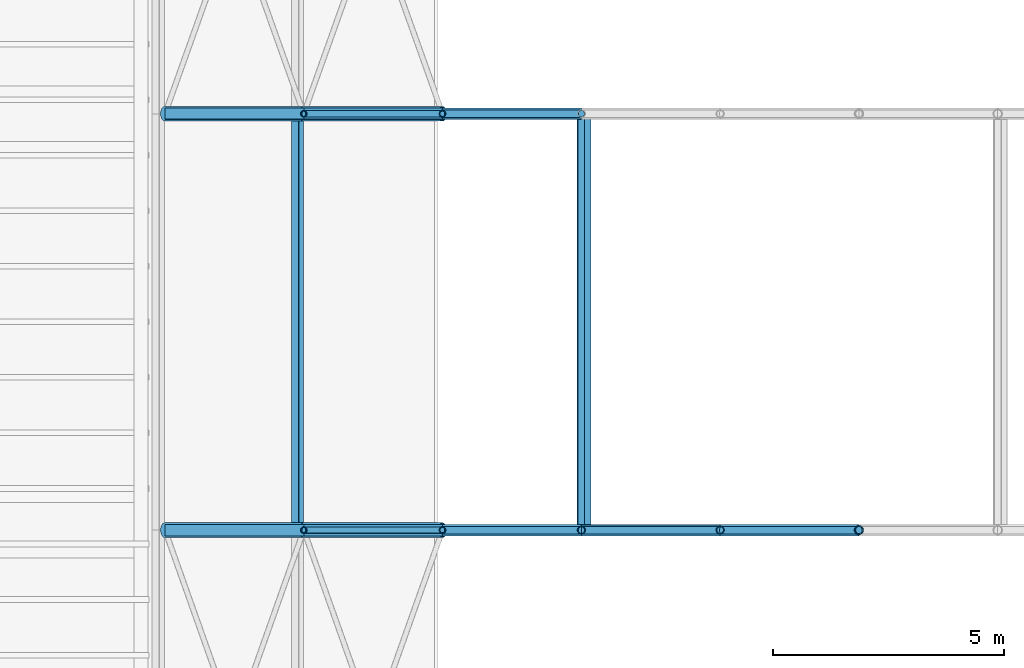
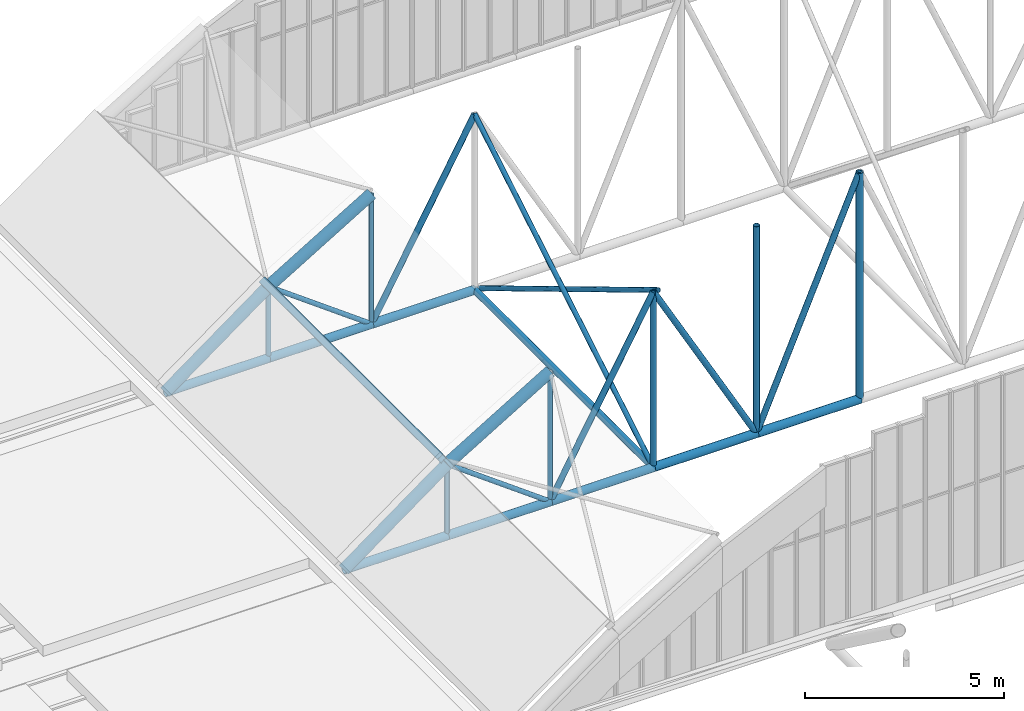
# One storey, part 70 of 153: 29 members.
"""IFC4 building model written with IfcOpenShell, lengths in metres."""

from ifc_helpers import new_model, si_unit, direction, frame, origin, origin_2d, place, context, subcontext, project, spatial, hollow_rectangle, hollow_circle, extrude, material, material_profile, profile_set, type_object, element, save


model = new_model("IFC4")

# Units and contexts
model_context = context("Model", 3, precision=1e-05, world=origin(), true_north=direction((0.0, 1.0)))
body_context = subcontext(model_context, "Body", "Model", "MODEL_VIEW")
ifc_project = project(units=[si_unit("LENGTHUNIT", "METRE"), si_unit("AREAUNIT", "SQUARE_METRE"), si_unit("VOLUMEUNIT", "CUBIC_METRE"), si_unit("PLANEANGLEUNIT", "RADIAN"), si_unit("MASSUNIT", "GRAM", prefix="KILO")], contexts=[model_context])

# Site, building, storey
site_placement = place(None, origin())
site = spatial("IfcSite", under=ifc_project, at=site_placement, CompositionType="ELEMENT")
building_placement = place(site_placement, origin())
building = spatial("IfcBuilding", under=site, at=building_placement, Name="Baradari Gate Terminus", CompositionType="ELEMENT")
storey_placement = place(building_placement, frame((0.0, 0.0, 11.699951171875)))
storey = spatial("IfcBuildingStorey", under=building, at=storey_placement, Name="L02", CompositionType="ELEMENT", Elevation=11.699951171875)

# Members
ifc_material_1 = material(Name="Steel S355", Category="steel")
ifc_material_profile_1 = material_profile(ifc_material_1, hollow_circle(Radius=0.06982421875, WallThickness=0.008056640625, at=origin_2d()), Name="CHS 139.7x8")
ifc_profile_set_1 = profile_set([ifc_material_profile_1], Name="Steel S355")
member_type_1 = type_object("IfcMemberType", Name="Hall vault diagonal CHS 139.7x8", PredefinedType="BRACE", material=ifc_profile_set_1)
for number, where, z_axis, x_axis, name in (
    (1, (138.0, 90.0, 2.322265625), (0.80641125493, 0.0, -0.591355128432), (0.0, 1.0, 0.0), "TR/L02/VT2-DG01"),
    (2, (138.0, 99.0, 2.322265625), (0.80641125493, 0.0, -0.591355128432), (0.0, 1.0, 0.0), "TR/L02/VT3-DG01"),
):
    element("IfcMember", number, at=place(storey_placement, frame(where, z_axis=z_axis, x_axis=x_axis)), inside=storey, type_object=member_type_1, Name=name, PredefinedType="BRACE", context=body_context, shape_type="SweptSolid", body=[
        extrude(hollow_circle(Radius=0.06982421875, WallThickness=0.008056640625, at=origin_2d()), origin(), (0.0, 0.0, 1.0), 3.72021484375),
    ])
ifc_material_2 = material(Name="Steel S355", Category="steel")
ifc_material_profile_2 = material_profile(ifc_material_2, hollow_circle(Radius=0.084228515625, WallThickness=0.008056640625, at=origin_2d()), Name="CHS 168.3x8")
ifc_profile_set_2 = profile_set([ifc_material_profile_2], Name="Steel S355")
member_type_2 = type_object("IfcMemberType", Name="Hall vault diagonal CHS 168.3x8", PredefinedType="BRACE", material=ifc_profile_set_2)
for number, where, z_axis, x_axis, name in (
    (3, (144.0, 90.0, 5.522216796875), (-0.485649642493, 0.0, -0.87415354758), (0.0, -1.0, 0.0), "TR/L02/VT2-DG02"),
    (4, (144.0, 90.0, 5.522216796875), (0.485649642493, 0.0, -0.87415354758), (0.0, 1.0, 0.0), "TR/L02/VT2-DG03"),
):
    element("IfcMember", number, at=place(storey_placement, frame(where, z_axis=z_axis, x_axis=x_axis)), inside=storey, type_object=member_type_2, Name=name, PredefinedType="BRACE", context=body_context, shape_type="SweptSolid", body=[
        extrude(hollow_circle(Radius=0.084228515625, WallThickness=0.008056640625, at=origin_2d()), origin(), (0.0, 0.0, 1.0), 6.17724609375),
    ])
member_1_placement = place(storey_placement, frame((150.0, 90.0, 7.122314453125), z_axis=(-0.393919298579, 0.0, -0.919145030018), x_axis=(0.0, -1.0, 0.0)))
element("IfcMember", 5, at=member_1_placement, inside=storey, type_object=member_type_2, Name="TR/L02/VT2-DG04", PredefinedType="BRACE", context=body_context, shape_type="SweptSolid", body=[
    extrude(hollow_circle(Radius=0.084228515625, WallThickness=0.008056640625, at=origin_2d()), origin(), (0.0, 0.0, 1.0), 7.61572265625),
])
member_2_placement = place(storey_placement, frame((144.0, 99.0, 5.522216796875), z_axis=(-0.485649642493, 0.0, -0.87415354758), x_axis=(0.0, -1.0, 0.0)))
element("IfcMember", 6, at=member_2_placement, inside=storey, type_object=member_type_2, Name="TR/L02/VT3-DG02", PredefinedType="BRACE", context=body_context, shape_type="SweptSolid", body=[
    extrude(hollow_circle(Radius=0.084228515625, WallThickness=0.008056640625, at=origin_2d()), origin(), (0.0, 0.0, 1.0), 6.17724609375),
])
ifc_material_3 = material(Name="Steel S355", Category="steel")
ifc_material_profile_3 = material_profile(ifc_material_3, hollow_circle(Radius=0.06982421875, WallThickness=0.008056640625, at=origin_2d()), Name="CHS 139.7x8")
ifc_profile_set_3 = profile_set([ifc_material_profile_3], Name="Steel S355")
member_type_3 = type_object("IfcMemberType", Name="Hall vault post CHS 139.7x8", PredefinedType="POST", material=ifc_profile_set_3)
member_3_placement = place(storey_placement, frame((138.0, 90.0, 0.122314453125), z_axis=(0.0, 0.0, 1.0), x_axis=(1.0, 0.0, 0.0)))
element("IfcMember", 7, at=member_3_placement, inside=storey, type_object=member_type_3, Name="TR/L02/VT2-PS01", PredefinedType="POST", context=body_context, shape_type="SweptSolid", body=[
    extrude(hollow_circle(Radius=0.06982421875, WallThickness=0.008056640625, at=origin_2d()), origin(), (0.0, 0.0, 1.0), 2.199951171875),
])
member_4_placement = place(storey_placement, frame((141.0, 90.0, 0.122314453125), z_axis=(0.0, 0.0, 1.0), x_axis=(1.0, 0.0, 0.0)))
element("IfcMember", 8, at=member_4_placement, inside=storey, type_object=member_type_3, Name="TR/L02/VT2-PS02", PredefinedType="POST", context=body_context, shape_type="SweptSolid", body=[
    extrude(hollow_circle(Radius=0.06982421875, WallThickness=0.008056640625, at=origin_2d()), origin(), (0.0, 0.0, 1.0), 4.0),
])
member_5_placement = place(storey_placement, frame((138.0, 99.0, 0.122314453125), z_axis=(0.0, 0.0, 1.0), x_axis=(1.0, 0.0, 0.0)))
element("IfcMember", 9, at=member_5_placement, inside=storey, type_object=member_type_3, Name="TR/L02/VT3-PS01", PredefinedType="POST", context=body_context, shape_type="SweptSolid", body=[
    extrude(hollow_circle(Radius=0.06982421875, WallThickness=0.008056640625, at=origin_2d()), origin(), (0.0, 0.0, 1.0), 2.199951171875),
])
member_6_placement = place(storey_placement, frame((141.0, 99.0, 0.122314453125), z_axis=(0.0, 0.0, 1.0), x_axis=(1.0, 0.0, 0.0)))
element("IfcMember", 10, at=member_6_placement, inside=storey, type_object=member_type_3, Name="TR/L02/VT3-PS02", PredefinedType="POST", context=body_context, shape_type="SweptSolid", body=[
    extrude(hollow_circle(Radius=0.06982421875, WallThickness=0.008056640625, at=origin_2d()), origin(), (0.0, 0.0, 1.0), 4.0),
])
ifc_material_4 = material(Name="Steel S355", Category="steel")
ifc_material_profile_4 = material_profile(ifc_material_4, hollow_circle(Radius=0.084228515625, WallThickness=0.008056640625, at=origin_2d()), Name="CHS 168.3x8")
ifc_profile_set_4 = profile_set([ifc_material_profile_4], Name="Steel S355")
member_type_4 = type_object("IfcMemberType", Name="Hall vault post CHS 168.3x8", PredefinedType="POST", material=ifc_profile_set_4)
member_7_placement = place(storey_placement, frame((144.0, 90.0, 0.122314453125), z_axis=(0.0, 0.0, 1.0), x_axis=(1.0, 0.0, 0.0)))
element("IfcMember", 11, at=member_7_placement, inside=storey, type_object=member_type_4, Name="TR/L02/VT2-PS03", PredefinedType="POST", context=body_context, shape_type="SweptSolid", body=[
    extrude(hollow_circle(Radius=0.084228515625, WallThickness=0.008056640625, at=origin_2d()), origin(), (0.0, 0.0, 1.0), 5.39990234375),
])
member_8_placement = place(storey_placement, frame((147.0, 90.0, 0.122314453125), z_axis=(0.0, 0.0, 1.0), x_axis=(1.0, 0.0, 0.0)))
element("IfcMember", 12, at=member_8_placement, inside=storey, type_object=member_type_4, Name="TR/L02/VT2-PS04", PredefinedType="POST", context=body_context, shape_type="SweptSolid", body=[
    extrude(hollow_circle(Radius=0.084228515625, WallThickness=0.008056640625, at=origin_2d()), origin(), (0.0, 0.0, 1.0), 6.39990234375),
])
ifc_material_5 = material(Name="Steel S355", Category="steel")
ifc_material_profile_5 = material_profile(ifc_material_5, hollow_circle(Radius=0.096923828125, WallThickness=0.008056640625, at=origin_2d()), Name="CHS 193.7x8")
ifc_profile_set_5 = profile_set([ifc_material_profile_5], Name="Steel S355")
member_type_5 = type_object("IfcMemberType", Name="Hall vault post CHS 193.7x8", PredefinedType="POST", material=ifc_profile_set_5)
member_9_placement = place(storey_placement, frame((150.0, 90.0, 0.122314453125), z_axis=(0.0, 0.0, 1.0), x_axis=(1.0, 0.0, 0.0)))
element("IfcMember", 13, at=member_9_placement, inside=storey, type_object=member_type_5, Name="TR/L02/VT2-PS05", PredefinedType="POST", context=body_context, shape_type="SweptSolid", body=[
    extrude(hollow_circle(Radius=0.096923828125, WallThickness=0.008056640625, at=origin_2d()), origin(), (0.0, 0.0, 1.0), 7.0),
])
ifc_material_6 = material(Name="Steel S355", Category="steel")
ifc_material_profile_6 = material_profile(ifc_material_6, hollow_circle(Radius=0.122314453125, WallThickness=0.010009765625, at=origin_2d()), Name="CHS 244.5x10")
ifc_profile_set_6 = profile_set([ifc_material_profile_6], Name="Steel S355")
member_type_6 = type_object("IfcMemberType", Name="Hall vault tie CHS 244.5x10", PredefinedType="CHORD", material=ifc_profile_set_6)
for number, where, z_axis, x_axis, name in (
    (14, (135.0, 90.0, 0.122314453125), (1.0, 0.0, 0.0), (0.0, 1.0, 0.0), "TR/L02/VT2-BC00"),
    (15, (138.0, 90.0, 0.122314453125), (1.0, 0.0, 0.0), (0.0, 1.0, 0.0), "TR/L02/VT2-BC01"),
    (16, (141.0, 90.0, 0.122314453125), (1.0, 0.0, 0.0), (0.0, 1.0, 0.0), "TR/L02/VT2-BC02"),
    (17, (144.0, 90.0, 0.122314453125), (1.0, 0.0, 0.0), (0.0, 1.0, 0.0), "TR/L02/VT2-BC03"),
    (18, (147.0, 90.0, 0.122314453125), (1.0, 0.0, 0.0), (0.0, 1.0, 0.0), "TR/L02/VT2-BC04"),
    (19, (135.0, 99.0, 0.122314453125), (1.0, 0.0, 0.0), (0.0, 1.0, 0.0), "TR/L02/VT3-BC00"),
    (20, (138.0, 99.0, 0.122314453125), (1.0, 0.0, 0.0), (0.0, 1.0, 0.0), "TR/L02/VT3-BC01"),
    (21, (141.0, 99.0, 0.122314453125), (1.0, 0.0, 0.0), (0.0, 1.0, 0.0), "TR/L02/VT3-BC02"),
):
    element("IfcMember", number, at=place(storey_placement, frame(where, z_axis=z_axis, x_axis=x_axis)), inside=storey, type_object=member_type_6, Name=name, PredefinedType="CHORD", context=body_context, shape_type="SweptSolid", body=[
        extrude(hollow_circle(Radius=0.122314453125, WallThickness=0.010009765625, at=origin_2d()), origin(), (0.0, 0.0, 1.0), 3.0),
    ])
ifc_material_7 = material(Name="Steel S355", Category="steel")
ifc_material_profile_7 = material_profile(ifc_material_7, hollow_circle(Radius=0.161865234375, WallThickness=0.012451171875, at=origin_2d()), Name="CHS 323.9x12.5")
ifc_profile_set_7 = profile_set([ifc_material_profile_7], Name="Steel S355")
member_type_7 = type_object("IfcMemberType", Name="Hall vault top chord CHS 323.9x12.5", PredefinedType="CHORD", material=ifc_profile_set_7)
member_10_placement = place(storey_placement, frame((135.0, 90.0, 0.122314453125), z_axis=(0.80641125493, 0.0, 0.591355128432), x_axis=(0.0, 1.0, 0.0)))
element("IfcMember", 22, at=member_10_placement, inside=storey, type_object=member_type_7, Name="TR/L02/VT2-TC00", PredefinedType="CHORD", context=body_context, shape_type="SweptSolid", body=[
    extrude(hollow_circle(Radius=0.161865234375, WallThickness=0.012451171875, at=origin_2d()), origin(), (0.0, 0.0, 1.0), 3.72021484375),
])
member_11_placement = place(storey_placement, frame((138.0, 90.0, 2.322265625), z_axis=(0.857486768376, 0.0, 0.514506017516), x_axis=(0.0, 1.0, 0.0)))
element("IfcMember", 23, at=member_11_placement, inside=storey, type_object=member_type_7, Name="TR/L02/VT2-TC01", PredefinedType="CHORD", context=body_context, shape_type="SweptSolid", body=[
    extrude(hollow_circle(Radius=0.161865234375, WallThickness=0.012451171875, at=origin_2d()), origin(), (0.0, 0.0, 1.0), 3.49853515625),
])
member_12_placement = place(storey_placement, frame((135.0, 99.0, 0.122314453125), z_axis=(0.80641125493, 0.0, 0.591355128432), x_axis=(0.0, 1.0, 0.0)))
element("IfcMember", 24, at=member_12_placement, inside=storey, type_object=member_type_7, Name="TR/L02/VT3-TC00", PredefinedType="CHORD", context=body_context, shape_type="SweptSolid", body=[
    extrude(hollow_circle(Radius=0.161865234375, WallThickness=0.012451171875, at=origin_2d()), origin(), (0.0, 0.0, 1.0), 3.72021484375),
])
member_13_placement = place(storey_placement, frame((138.0, 99.0, 2.322265625), z_axis=(0.857486768376, 0.0, 0.514506017516), x_axis=(0.0, 1.0, 0.0)))
element("IfcMember", 25, at=member_13_placement, inside=storey, type_object=member_type_7, Name="TR/L02/VT3-TC01", PredefinedType="CHORD", context=body_context, shape_type="SweptSolid", body=[
    extrude(hollow_circle(Radius=0.161865234375, WallThickness=0.012451171875, at=origin_2d()), origin(), (0.0, 0.0, 1.0), 3.49853515625),
])
ifc_material_8 = material(Name="Steel S355", Category="steel")
ifc_material_profile_8 = material_profile(ifc_material_8, hollow_circle(Radius=0.096923828125, WallThickness=0.008056640625, at=origin_2d()), Name="CHS 193.7x8")
ifc_profile_set_8 = profile_set([ifc_material_profile_8], Name="Steel S355")
member_type_8 = type_object("IfcMemberType", Name="Shed bottom strut CHS 193.7x8", PredefinedType="STRUT", material=ifc_profile_set_8)
member_14_placement = place(storey_placement, frame((144.0, 90.0, 0.122314453125), z_axis=(0.0, 1.0, 0.0), x_axis=(-1.0, 0.0, 0.0)))
element("IfcMember", 26, at=member_14_placement, inside=storey, type_object=member_type_8, Name="TR/L02/VPB2-ST03", PredefinedType="STRUT", context=body_context, shape_type="SweptSolid", body=[
    extrude(hollow_circle(Radius=0.096923828125, WallThickness=0.008056640625, at=origin_2d()), origin(), (0.0, 0.0, 1.0), 9.0),
])
ifc_material_9 = material(Name="Steel S355", Category="steel")
ifc_material_profile_9 = material_profile(ifc_material_9, hollow_rectangle(XDim=0.199951171875, YDim=0.199951171875, WallThickness=0.008056640625, InnerFilletRadius=0.008056640625, OuterFilletRadius=0.01611328125, at=origin_2d()), Name="SHS 200x200x8")
ifc_profile_set_9 = profile_set([ifc_material_profile_9], Name="Steel S355")
member_type_9 = type_object("IfcMemberType", Name="Shed purlin SHS 200x200x8", PredefinedType="PURLIN", material=ifc_profile_set_9)
member_15_placement = place(storey_placement, frame((137.861572265625, 90.0, 2.530517578125), z_axis=(0.0, 1.0, 0.0), x_axis=(-0.832836263724, 0.0, -0.55351942859)))
element("IfcMember", 27, at=member_15_placement, inside=storey, type_object=member_type_9, Name="TR/L02/VP2-PU01", PredefinedType="PURLIN", context=body_context, shape_type="SweptSolid", body=[
    extrude(hollow_rectangle(XDim=0.199951171875, YDim=0.199951171875, WallThickness=0.008056640625, InnerFilletRadius=0.008056640625, OuterFilletRadius=0.01611328125, at=origin_2d()), origin(), (0.0, 0.0, 1.0), 9.0),
])
ifc_material_10 = material(Name="Steel S355", Category="steel")
ifc_material_profile_10 = material_profile(ifc_material_10, hollow_circle(Radius=0.06982421875, WallThickness=0.008056640625, at=origin_2d()), Name="CHS 139.7x8")
ifc_profile_set_10 = profile_set([ifc_material_profile_10], Name="Steel S355")
member_type_10 = type_object("IfcMemberType", Name="Shed vertical brace CHS 139.7x8", PredefinedType="BRACE", material=ifc_profile_set_10)
for number, where, z_axis, x_axis, name in (
    (28, (144.0, 90.0, 0.122314453125), (0.0, 0.857497030584, 0.514488913912), (-1.0, 0.0, 0.0), "TR/L02/VPB2-VB03A"),
    (29, (144.1396484375, 90.0, 5.522216796875), (0.0, 0.857497030584, -0.514488913912), (-1.0, 0.0, 0.0), "TR/L02/VPB2-VB03B"),
):
    element("IfcMember", number, at=place(storey_placement, frame(where, z_axis=z_axis, x_axis=x_axis)), inside=storey, type_object=member_type_10, Name=name, PredefinedType="BRACE", context=body_context, shape_type="SweptSolid", body=[
        extrude(hollow_circle(Radius=0.06982421875, WallThickness=0.008056640625, at=origin_2d()), origin(), (0.0, 0.0, 1.0), 10.49560546875),
    ])

save(model, "model.ifc")
